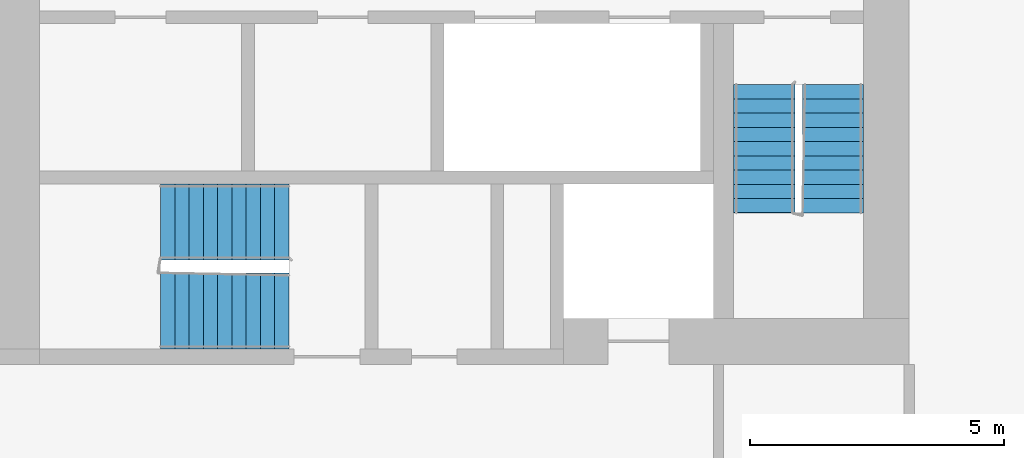
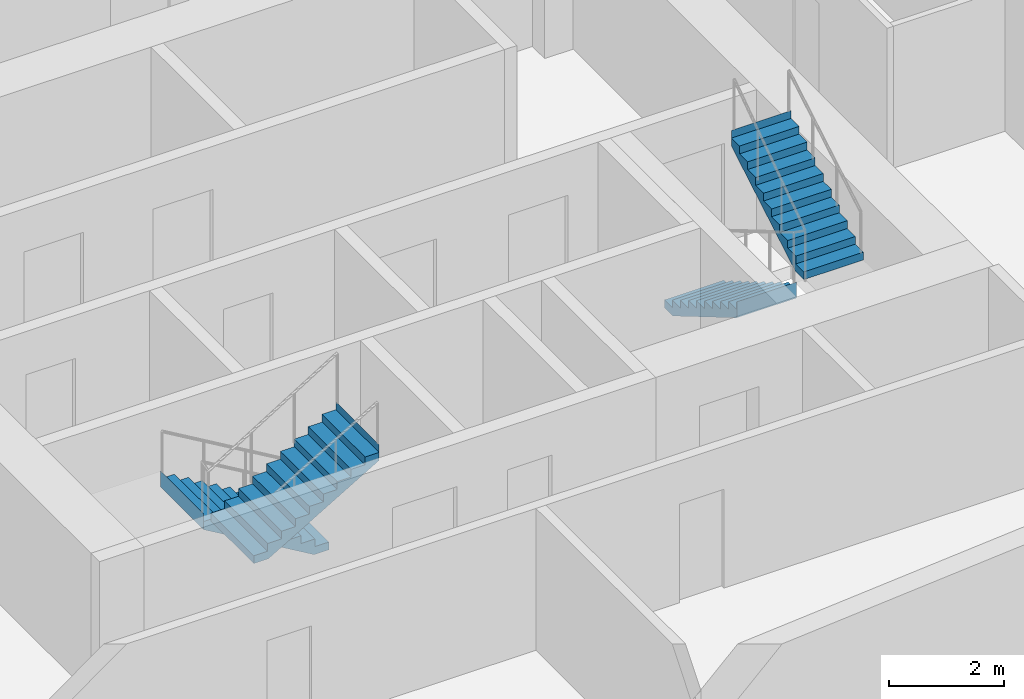
# One storey, part 9 of 12: 4 stair flights, 2 elements without a shape of their own.
"""IFC4 building model written with IfcOpenShell, lengths in metres."""

from ifc_helpers import new_model, si_unit, direction, frame, origin, place, context, subcontext, project, spatial, faceted_brep, material, type_object, element, aggregate, save


model = new_model("IFC4")

# Units and contexts
model_context = context("Model", 3, precision=1e-05, world=origin(), true_north=direction((0.0, 1.0)))
body_context = subcontext(model_context, "Body", "Model", "MODEL_VIEW")
ifc_project = project(units=[si_unit("LENGTHUNIT", "METRE"), si_unit("AREAUNIT", "SQUARE_METRE"), si_unit("VOLUMEUNIT", "CUBIC_METRE"), si_unit("PLANEANGLEUNIT", "RADIAN"), si_unit("MASSUNIT", "GRAM", prefix="KILO")], contexts=[model_context])

# Site, building, storey
site_placement = place(None, origin())
site = spatial("IfcSite", under=ifc_project, at=site_placement, CompositionType="ELEMENT")
building_placement = place(site_placement, origin())
building = spatial("IfcBuilding", under=site, at=building_placement, Name="Kajstack Hotel Tower", CompositionType="ELEMENT")
storey_placement = place(building_placement, frame((0.0, 0.0, 170.199951171875)))
storey = spatial("IfcBuildingStorey", under=building, at=storey_placement, Name="L39", CompositionType="ELEMENT", Elevation=170.199951171875)

# Stair, stair flights
ifc_material = material(Name="Concrete C40/50", Category="concrete")
stair_type_1 = type_object("IfcStairType", Name="Exit stair 1200", PredefinedType="HALF_TURN_STAIR", material=ifc_material)
stair_1_placement = place(storey_placement, origin())
stair_1 = element("IfcStair", 1, at=stair_1_placement, inside=storey, type_object=stair_type_1, Name="L39 stair W2", PredefinedType="HALF_TURN_STAIR")
stair_flight_type_1 = type_object("IfcStairFlightType", Name="Exit stair flight 1200", PredefinedType="STRAIGHT", material=ifc_material)
stair_flight_1_placement = place(storey_placement, frame((-16.35009765625, -10.0, 0.0), z_axis=(0.0, 0.0, 1.0), x_axis=(0.0, -1.0, 0.0)))
stair_flight_1 = element("IfcStairFlight", 2, at=stair_flight_1_placement, type_object=stair_flight_type_1, Name="W2 flight 1", NumberOfRisers=10, NumberOfTreads=9, PredefinedType="STRAIGHT", RiserHeight=0.165, TreadLength=0.28, context=body_context, shape_type="Brep", body=[
    faceted_brep([(0.295654296875, -0.60009765625, 0.0), (2.5205078125, -0.60009765625, 1.31103515625), (2.5205078125, -0.60009765625, 1.64990234375), (2.52001953125, -0.60009765625, 1.64990234375), (2.52001953125, -0.60009765625, 1.485107421875), (2.239990234375, -0.60009765625, 1.485107421875), (2.239990234375, -0.60009765625, 1.320068359375), (1.9599609375, -0.60009765625, 1.320068359375), (1.9599609375, -0.60009765625, 1.155029296875), (1.679931640625, -0.60009765625, 1.155029296875), (1.679931640625, -0.60009765625, 0.989990234375), (1.39990234375, -0.60009765625, 0.989990234375), (1.39990234375, -0.60009765625, 0.824951171875), (1.1201171875, -0.60009765625, 0.824951171875), (1.1201171875, -0.60009765625, 0.659912109375), (0.840087890625, -0.60009765625, 0.659912109375), (0.840087890625, -0.60009765625, 0.4951171875), (0.56005859375, -0.60009765625, 0.4951171875), (0.56005859375, -0.60009765625, 0.330078125), (0.280029296875, -0.60009765625, 0.330078125), (0.280029296875, -0.60009765625, 0.1650390625), (-0.00048828125, -0.60009765625, 0.1650390625), (-0.00048828125, -0.60009765625, 0.0), (-0.00048828125, 0.60009765625, 0.0), (-0.00048828125, 0.60009765625, 0.1650390625), (0.280029296875, 0.60009765625, 0.1650390625), (0.280029296875, 0.60009765625, 0.330078125), (0.56005859375, 0.60009765625, 0.330078125), (0.56005859375, 0.60009765625, 0.4951171875), (0.840087890625, 0.60009765625, 0.4951171875), (0.840087890625, 0.60009765625, 0.659912109375), (1.1201171875, 0.60009765625, 0.659912109375), (1.1201171875, 0.60009765625, 0.824951171875), (1.39990234375, 0.60009765625, 0.824951171875), (1.39990234375, 0.60009765625, 0.989990234375), (1.679931640625, 0.60009765625, 0.989990234375), (1.679931640625, 0.60009765625, 1.155029296875), (1.9599609375, 0.60009765625, 1.155029296875), (1.9599609375, 0.60009765625, 1.320068359375), (2.239990234375, 0.60009765625, 1.320068359375), (2.239990234375, 0.60009765625, 1.485107421875), (2.52001953125, 0.60009765625, 1.485107421875), (2.52001953125, 0.60009765625, 1.64990234375), (2.5205078125, 0.60009765625, 1.64990234375), (2.5205078125, 0.60009765625, 1.31103515625), (0.295654296875, 0.60009765625, 0.0), (-0.00048828125, -0.300048828125, 0.1650390625), (-0.00048828125, 0.0, 0.1650390625), (-0.00048828125, 0.300048828125, 0.1650390625), (-0.00048828125, 0.300048828125, 0.0), (-0.00048828125, 0.0, 0.0), (-0.00048828125, -0.300048828125, 0.0), (0.280029296875, -0.300048828125, 0.1650390625), (0.280029296875, 0.0, 0.1650390625), (0.280029296875, 0.300048828125, 0.1650390625), (0.280029296875, -0.300048828125, 0.330078125), (0.280029296875, 0.0, 0.330078125), (0.280029296875, 0.300048828125, 0.330078125), (0.56005859375, -0.300048828125, 0.330078125), (0.56005859375, 0.0, 0.330078125), (0.56005859375, 0.300048828125, 0.330078125), (0.56005859375, -0.300048828125, 0.4951171875), (0.56005859375, 0.0, 0.4951171875), (0.56005859375, 0.300048828125, 0.4951171875), (0.840087890625, -0.300048828125, 0.4951171875), (0.840087890625, 0.0, 0.4951171875), (0.840087890625, 0.300048828125, 0.4951171875), (0.840087890625, -0.300048828125, 0.659912109375), (0.840087890625, 0.0, 0.659912109375), (0.840087890625, 0.300048828125, 0.659912109375), (1.1201171875, -0.300048828125, 0.659912109375), (1.1201171875, 0.0, 0.659912109375), (1.1201171875, 0.300048828125, 0.659912109375), (1.1201171875, -0.300048828125, 0.824951171875), (1.1201171875, 0.0, 0.824951171875), (1.1201171875, 0.300048828125, 0.824951171875), (1.39990234375, -0.300048828125, 0.824951171875), (1.39990234375, 0.0, 0.824951171875), (1.39990234375, 0.300048828125, 0.824951171875), (1.39990234375, -0.300048828125, 0.989990234375), (1.39990234375, 0.0, 0.989990234375), (1.39990234375, 0.300048828125, 0.989990234375), (1.679931640625, -0.300048828125, 0.989990234375), (1.679931640625, 0.0, 0.989990234375), (1.679931640625, 0.300048828125, 0.989990234375), (1.679931640625, -0.300048828125, 1.155029296875), (1.679931640625, 0.0, 1.155029296875), (1.679931640625, 0.300048828125, 1.155029296875), (1.9599609375, -0.300048828125, 1.155029296875), (1.9599609375, 0.0, 1.155029296875), (1.9599609375, 0.300048828125, 1.155029296875), (1.9599609375, -0.300048828125, 1.320068359375), (1.9599609375, 0.0, 1.320068359375), (1.9599609375, 0.300048828125, 1.320068359375), (2.239990234375, -0.300048828125, 1.320068359375), (2.239990234375, 0.0, 1.320068359375), (2.239990234375, 0.300048828125, 1.320068359375), (2.239990234375, -0.300048828125, 1.485107421875), (2.239990234375, 0.0, 1.485107421875), (2.239990234375, 0.300048828125, 1.485107421875), (2.52001953125, -0.300048828125, 1.485107421875), (2.52001953125, 0.0, 1.485107421875), (2.52001953125, 0.300048828125, 1.485107421875), (2.52001953125, -0.300048828125, 1.64990234375), (2.52001953125, 0.0, 1.64990234375), (2.52001953125, 0.300048828125, 1.64990234375), (2.5205078125, -0.300048828125, 1.64990234375), (2.5205078125, 0.0, 1.64990234375), (2.5205078125, 0.300048828125, 1.64990234375), (2.5205078125, -0.300048828125, 1.31103515625), (2.5205078125, 0.0, 1.31103515625), (2.5205078125, 0.300048828125, 1.31103515625), (0.295654296875, -0.300048828125, 0.0), (0.295654296875, 0.0, 0.0), (0.295654296875, 0.300048828125, 0.0)], [[[0, 1, 2, 3, 4, 5, 6, 7, 8, 9, 10, 11, 12, 13, 14, 15, 16, 17, 18, 19, 20, 21, 22]], [[23, 24, 25, 26, 27, 28, 29, 30, 31, 32, 33, 34, 35, 36, 37, 38, 39, 40, 41, 42, 43, 44, 45]], [[21, 46, 47, 48, 24, 23, 49, 50, 51, 22]], [[20, 52, 53, 54, 25, 24, 48, 47, 46, 21]], [[19, 55, 56, 57, 26, 25, 54, 53, 52, 20]], [[18, 58, 59, 60, 27, 26, 57, 56, 55, 19]], [[17, 61, 62, 63, 28, 27, 60, 59, 58, 18]], [[16, 64, 65, 66, 29, 28, 63, 62, 61, 17]], [[15, 67, 68, 69, 30, 29, 66, 65, 64, 16]], [[14, 70, 71, 72, 31, 30, 69, 68, 67, 15]], [[13, 73, 74, 75, 32, 31, 72, 71, 70, 14]], [[12, 76, 77, 78, 33, 32, 75, 74, 73, 13]], [[11, 79, 80, 81, 34, 33, 78, 77, 76, 12]], [[10, 82, 83, 84, 35, 34, 81, 80, 79, 11]], [[9, 85, 86, 87, 36, 35, 84, 83, 82, 10]], [[8, 88, 89, 90, 37, 36, 87, 86, 85, 9]], [[7, 91, 92, 93, 38, 37, 90, 89, 88, 8]], [[6, 94, 95, 96, 39, 38, 93, 92, 91, 7]], [[5, 97, 98, 99, 40, 39, 96, 95, 94, 6]], [[4, 100, 101, 102, 41, 40, 99, 98, 97, 5]], [[3, 103, 104, 105, 42, 41, 102, 101, 100, 4]], [[2, 106, 107, 108, 43, 42, 105, 104, 103, 3]], [[1, 109, 110, 111, 44, 43, 108, 107, 106, 2]], [[0, 112, 113, 114, 45, 44, 111, 110, 109, 1]], [[22, 51, 50, 49, 23, 45, 114, 113, 112, 0]]]),
])
stair_flight_2_placement = place(storey_placement, frame((-15.0, -12.52001953125, 1.650146484375), z_axis=(0.0, 0.0, 1.0), x_axis=(0.0, 1.0, 0.0)))
stair_flight_2 = element("IfcStairFlight", 3, at=stair_flight_2_placement, type_object=stair_flight_type_1, Name="W2 flight 2", NumberOfRisers=10, NumberOfTreads=9, PredefinedType="STRAIGHT", RiserHeight=0.165, TreadLength=0.28, context=body_context, shape_type="Brep", body=[
    faceted_brep([(0.295654296875, -0.60009765625, 0.0), (2.5205078125, -0.60009765625, 1.31103515625), (2.5205078125, -0.60009765625, 1.64990234375), (2.52001953125, -0.60009765625, 1.64990234375), (2.52001953125, -0.60009765625, 1.485107421875), (2.239990234375, -0.60009765625, 1.485107421875), (2.239990234375, -0.60009765625, 1.320068359375), (1.9599609375, -0.60009765625, 1.320068359375), (1.9599609375, -0.60009765625, 1.155029296875), (1.679931640625, -0.60009765625, 1.155029296875), (1.679931640625, -0.60009765625, 0.989990234375), (1.39990234375, -0.60009765625, 0.989990234375), (1.39990234375, -0.60009765625, 0.824951171875), (1.1201171875, -0.60009765625, 0.824951171875), (1.1201171875, -0.60009765625, 0.659912109375), (0.840087890625, -0.60009765625, 0.659912109375), (0.840087890625, -0.60009765625, 0.4951171875), (0.56005859375, -0.60009765625, 0.4951171875), (0.56005859375, -0.60009765625, 0.330078125), (0.280029296875, -0.60009765625, 0.330078125), (0.280029296875, -0.60009765625, 0.1650390625), (-0.00048828125, -0.60009765625, 0.1650390625), (-0.00048828125, -0.60009765625, 0.0), (-0.00048828125, 0.60009765625, 0.0), (-0.00048828125, 0.60009765625, 0.1650390625), (0.280029296875, 0.60009765625, 0.1650390625), (0.280029296875, 0.60009765625, 0.330078125), (0.56005859375, 0.60009765625, 0.330078125), (0.56005859375, 0.60009765625, 0.4951171875), (0.840087890625, 0.60009765625, 0.4951171875), (0.840087890625, 0.60009765625, 0.659912109375), (1.1201171875, 0.60009765625, 0.659912109375), (1.1201171875, 0.60009765625, 0.824951171875), (1.39990234375, 0.60009765625, 0.824951171875), (1.39990234375, 0.60009765625, 0.989990234375), (1.679931640625, 0.60009765625, 0.989990234375), (1.679931640625, 0.60009765625, 1.155029296875), (1.9599609375, 0.60009765625, 1.155029296875), (1.9599609375, 0.60009765625, 1.320068359375), (2.239990234375, 0.60009765625, 1.320068359375), (2.239990234375, 0.60009765625, 1.485107421875), (2.52001953125, 0.60009765625, 1.485107421875), (2.52001953125, 0.60009765625, 1.64990234375), (2.5205078125, 0.60009765625, 1.64990234375), (2.5205078125, 0.60009765625, 1.31103515625), (0.295654296875, 0.60009765625, 0.0), (-0.00048828125, -0.300048828125, 0.1650390625), (-0.00048828125, 0.0, 0.1650390625), (-0.00048828125, 0.300048828125, 0.1650390625), (-0.00048828125, 0.300048828125, 0.0), (-0.00048828125, 0.0, 0.0), (-0.00048828125, -0.300048828125, 0.0), (0.280029296875, -0.300048828125, 0.1650390625), (0.280029296875, 0.0, 0.1650390625), (0.280029296875, 0.300048828125, 0.1650390625), (0.280029296875, -0.300048828125, 0.330078125), (0.280029296875, 0.0, 0.330078125), (0.280029296875, 0.300048828125, 0.330078125), (0.56005859375, -0.300048828125, 0.330078125), (0.56005859375, 0.0, 0.330078125), (0.56005859375, 0.300048828125, 0.330078125), (0.56005859375, -0.300048828125, 0.4951171875), (0.56005859375, 0.0, 0.4951171875), (0.56005859375, 0.300048828125, 0.4951171875), (0.840087890625, -0.300048828125, 0.4951171875), (0.840087890625, 0.0, 0.4951171875), (0.840087890625, 0.300048828125, 0.4951171875), (0.840087890625, -0.300048828125, 0.659912109375), (0.840087890625, 0.0, 0.659912109375), (0.840087890625, 0.300048828125, 0.659912109375), (1.1201171875, -0.300048828125, 0.659912109375), (1.1201171875, 0.0, 0.659912109375), (1.1201171875, 0.300048828125, 0.659912109375), (1.1201171875, -0.300048828125, 0.824951171875), (1.1201171875, 0.0, 0.824951171875), (1.1201171875, 0.300048828125, 0.824951171875), (1.39990234375, -0.300048828125, 0.824951171875), (1.39990234375, 0.0, 0.824951171875), (1.39990234375, 0.300048828125, 0.824951171875), (1.39990234375, -0.300048828125, 0.989990234375), (1.39990234375, 0.0, 0.989990234375), (1.39990234375, 0.300048828125, 0.989990234375), (1.679931640625, -0.300048828125, 0.989990234375), (1.679931640625, 0.0, 0.989990234375), (1.679931640625, 0.300048828125, 0.989990234375), (1.679931640625, -0.300048828125, 1.155029296875), (1.679931640625, 0.0, 1.155029296875), (1.679931640625, 0.300048828125, 1.155029296875), (1.9599609375, -0.300048828125, 1.155029296875), (1.9599609375, 0.0, 1.155029296875), (1.9599609375, 0.300048828125, 1.155029296875), (1.9599609375, -0.300048828125, 1.320068359375), (1.9599609375, 0.0, 1.320068359375), (1.9599609375, 0.300048828125, 1.320068359375), (2.239990234375, -0.300048828125, 1.320068359375), (2.239990234375, 0.0, 1.320068359375), (2.239990234375, 0.300048828125, 1.320068359375), (2.239990234375, -0.300048828125, 1.485107421875), (2.239990234375, 0.0, 1.485107421875), (2.239990234375, 0.300048828125, 1.485107421875), (2.52001953125, -0.300048828125, 1.485107421875), (2.52001953125, 0.0, 1.485107421875), (2.52001953125, 0.300048828125, 1.485107421875), (2.52001953125, -0.300048828125, 1.64990234375), (2.52001953125, 0.0, 1.64990234375), (2.52001953125, 0.300048828125, 1.64990234375), (2.5205078125, -0.300048828125, 1.64990234375), (2.5205078125, 0.0, 1.64990234375), (2.5205078125, 0.300048828125, 1.64990234375), (2.5205078125, -0.300048828125, 1.31103515625), (2.5205078125, 0.0, 1.31103515625), (2.5205078125, 0.300048828125, 1.31103515625), (0.295654296875, -0.300048828125, 0.0), (0.295654296875, 0.0, 0.0), (0.295654296875, 0.300048828125, 0.0)], [[[0, 1, 2, 3, 4, 5, 6, 7, 8, 9, 10, 11, 12, 13, 14, 15, 16, 17, 18, 19, 20, 21, 22]], [[23, 24, 25, 26, 27, 28, 29, 30, 31, 32, 33, 34, 35, 36, 37, 38, 39, 40, 41, 42, 43, 44, 45]], [[21, 46, 47, 48, 24, 23, 49, 50, 51, 22]], [[20, 52, 53, 54, 25, 24, 48, 47, 46, 21]], [[19, 55, 56, 57, 26, 25, 54, 53, 52, 20]], [[18, 58, 59, 60, 27, 26, 57, 56, 55, 19]], [[17, 61, 62, 63, 28, 27, 60, 59, 58, 18]], [[16, 64, 65, 66, 29, 28, 63, 62, 61, 17]], [[15, 67, 68, 69, 30, 29, 66, 65, 64, 16]], [[14, 70, 71, 72, 31, 30, 69, 68, 67, 15]], [[13, 73, 74, 75, 32, 31, 72, 71, 70, 14]], [[12, 76, 77, 78, 33, 32, 75, 74, 73, 13]], [[11, 79, 80, 81, 34, 33, 78, 77, 76, 12]], [[10, 82, 83, 84, 35, 34, 81, 80, 79, 11]], [[9, 85, 86, 87, 36, 35, 84, 83, 82, 10]], [[8, 88, 89, 90, 37, 36, 87, 86, 85, 9]], [[7, 91, 92, 93, 38, 37, 90, 89, 88, 8]], [[6, 94, 95, 96, 39, 38, 93, 92, 91, 7]], [[5, 97, 98, 99, 40, 39, 96, 95, 94, 6]], [[4, 100, 101, 102, 41, 40, 99, 98, 97, 5]], [[3, 103, 104, 105, 42, 41, 102, 101, 100, 4]], [[2, 106, 107, 108, 43, 42, 105, 104, 103, 3]], [[1, 109, 110, 111, 44, 43, 108, 107, 106, 2]], [[0, 112, 113, 114, 45, 44, 111, 110, 109, 1]], [[22, 51, 50, 49, 23, 45, 114, 113, 112, 0]]]),
])
aggregate(stair_1, [stair_flight_1, stair_flight_2])

stair_type_2 = type_object("IfcStairType", Name="Exit stair 1500", PredefinedType="HALF_TURN_STAIR", material=ifc_material)
stair_2_placement = place(storey_placement, origin())
stair_2 = element("IfcStair", 4, at=stair_2_placement, inside=storey, type_object=stair_type_2, Name="L39 stair W3", PredefinedType="HALF_TURN_STAIR")
stair_flight_type_2 = type_object("IfcStairFlightType", Name="Exit stair flight 1500", PredefinedType="STRAIGHT", material=ifc_material)
stair_flight_3_placement = place(storey_placement, frame((-25.699951171875, -12.699951171875, 0.0), z_axis=(0.0, 0.0, 1.0), x_axis=(-1.0, 0.0, 0.0)))
stair_flight_3 = element("IfcStairFlight", 5, at=stair_flight_3_placement, type_object=stair_flight_type_2, Name="W3 flight 1", NumberOfRisers=10, NumberOfTreads=9, PredefinedType="STRAIGHT", RiserHeight=0.165, TreadLength=0.28, context=body_context, shape_type="Brep", body=[
    faceted_brep([(0.295654296875, -0.75, 0.0), (2.5205078125, -0.75, 1.31103515625), (2.5205078125, -0.75, 1.64990234375), (2.52001953125, -0.75, 1.64990234375), (2.52001953125, -0.75, 1.485107421875), (2.239990234375, -0.75, 1.485107421875), (2.239990234375, -0.75, 1.320068359375), (1.9599609375, -0.75, 1.320068359375), (1.9599609375, -0.75, 1.155029296875), (1.679931640625, -0.75, 1.155029296875), (1.679931640625, -0.75, 0.989990234375), (1.39990234375, -0.75, 0.989990234375), (1.39990234375, -0.75, 0.824951171875), (1.1201171875, -0.75, 0.824951171875), (1.1201171875, -0.75, 0.659912109375), (0.840087890625, -0.75, 0.659912109375), (0.840087890625, -0.75, 0.4951171875), (0.56005859375, -0.75, 0.4951171875), (0.56005859375, -0.75, 0.330078125), (0.280029296875, -0.75, 0.330078125), (0.280029296875, -0.75, 0.1650390625), (-0.00048828125, -0.75, 0.1650390625), (-0.00048828125, -0.75, 0.0), (-0.00048828125, 0.75, 0.0), (-0.00048828125, 0.75, 0.1650390625), (0.280029296875, 0.75, 0.1650390625), (0.280029296875, 0.75, 0.330078125), (0.56005859375, 0.75, 0.330078125), (0.56005859375, 0.75, 0.4951171875), (0.840087890625, 0.75, 0.4951171875), (0.840087890625, 0.75, 0.659912109375), (1.1201171875, 0.75, 0.659912109375), (1.1201171875, 0.75, 0.824951171875), (1.39990234375, 0.75, 0.824951171875), (1.39990234375, 0.75, 0.989990234375), (1.679931640625, 0.75, 0.989990234375), (1.679931640625, 0.75, 1.155029296875), (1.9599609375, 0.75, 1.155029296875), (1.9599609375, 0.75, 1.320068359375), (2.239990234375, 0.75, 1.320068359375), (2.239990234375, 0.75, 1.485107421875), (2.52001953125, 0.75, 1.485107421875), (2.52001953125, 0.75, 1.64990234375), (2.5205078125, 0.75, 1.64990234375), (2.5205078125, 0.75, 1.31103515625), (0.295654296875, 0.75, 0.0), (-0.00048828125, -0.375, 0.1650390625), (-0.00048828125, 0.0, 0.1650390625), (-0.00048828125, 0.375, 0.1650390625), (-0.00048828125, 0.375, 0.0), (-0.00048828125, 0.0, 0.0), (-0.00048828125, -0.375, 0.0), (0.280029296875, -0.375, 0.1650390625), (0.280029296875, 0.0, 0.1650390625), (0.280029296875, 0.375, 0.1650390625), (0.280029296875, -0.375, 0.330078125), (0.280029296875, 0.0, 0.330078125), (0.280029296875, 0.375, 0.330078125), (0.56005859375, -0.375, 0.330078125), (0.56005859375, 0.0, 0.330078125), (0.56005859375, 0.375, 0.330078125), (0.56005859375, -0.375, 0.4951171875), (0.56005859375, 0.0, 0.4951171875), (0.56005859375, 0.375, 0.4951171875), (0.840087890625, -0.375, 0.4951171875), (0.840087890625, 0.0, 0.4951171875), (0.840087890625, 0.375, 0.4951171875), (0.840087890625, -0.375, 0.659912109375), (0.840087890625, 0.0, 0.659912109375), (0.840087890625, 0.375, 0.659912109375), (1.1201171875, -0.375, 0.659912109375), (1.1201171875, 0.0, 0.659912109375), (1.1201171875, 0.375, 0.659912109375), (1.1201171875, -0.375, 0.824951171875), (1.1201171875, 0.0, 0.824951171875), (1.1201171875, 0.375, 0.824951171875), (1.39990234375, -0.375, 0.824951171875), (1.39990234375, 0.0, 0.824951171875), (1.39990234375, 0.375, 0.824951171875), (1.39990234375, -0.375, 0.989990234375), (1.39990234375, 0.0, 0.989990234375), (1.39990234375, 0.375, 0.989990234375), (1.679931640625, -0.375, 0.989990234375), (1.679931640625, 0.0, 0.989990234375), (1.679931640625, 0.375, 0.989990234375), (1.679931640625, -0.375, 1.155029296875), (1.679931640625, 0.0, 1.155029296875), (1.679931640625, 0.375, 1.155029296875), (1.9599609375, -0.375, 1.155029296875), (1.9599609375, 0.0, 1.155029296875), (1.9599609375, 0.375, 1.155029296875), (1.9599609375, -0.375, 1.320068359375), (1.9599609375, 0.0, 1.320068359375), (1.9599609375, 0.375, 1.320068359375), (2.239990234375, -0.375, 1.320068359375), (2.239990234375, 0.0, 1.320068359375), (2.239990234375, 0.375, 1.320068359375), (2.239990234375, -0.375, 1.485107421875), (2.239990234375, 0.0, 1.485107421875), (2.239990234375, 0.375, 1.485107421875), (2.52001953125, -0.375, 1.485107421875), (2.52001953125, 0.0, 1.485107421875), (2.52001953125, 0.375, 1.485107421875), (2.52001953125, -0.375, 1.64990234375), (2.52001953125, 0.0, 1.64990234375), (2.52001953125, 0.375, 1.64990234375), (2.5205078125, -0.375, 1.64990234375), (2.5205078125, 0.0, 1.64990234375), (2.5205078125, 0.375, 1.64990234375), (2.5205078125, -0.375, 1.31103515625), (2.5205078125, 0.0, 1.31103515625), (2.5205078125, 0.375, 1.31103515625), (0.295654296875, -0.375, 0.0), (0.295654296875, 0.0, 0.0), (0.295654296875, 0.375, 0.0)], [[[0, 1, 2, 3, 4, 5, 6, 7, 8, 9, 10, 11, 12, 13, 14, 15, 16, 17, 18, 19, 20, 21, 22]], [[23, 24, 25, 26, 27, 28, 29, 30, 31, 32, 33, 34, 35, 36, 37, 38, 39, 40, 41, 42, 43, 44, 45]], [[21, 46, 47, 48, 24, 23, 49, 50, 51, 22]], [[20, 52, 53, 54, 25, 24, 48, 47, 46, 21]], [[19, 55, 56, 57, 26, 25, 54, 53, 52, 20]], [[18, 58, 59, 60, 27, 26, 57, 56, 55, 19]], [[17, 61, 62, 63, 28, 27, 60, 59, 58, 18]], [[16, 64, 65, 66, 29, 28, 63, 62, 61, 17]], [[15, 67, 68, 69, 30, 29, 66, 65, 64, 16]], [[14, 70, 71, 72, 31, 30, 69, 68, 67, 15]], [[13, 73, 74, 75, 32, 31, 72, 71, 70, 14]], [[12, 76, 77, 78, 33, 32, 75, 74, 73, 13]], [[11, 79, 80, 81, 34, 33, 78, 77, 76, 12]], [[10, 82, 83, 84, 35, 34, 81, 80, 79, 11]], [[9, 85, 86, 87, 36, 35, 84, 83, 82, 10]], [[8, 88, 89, 90, 37, 36, 87, 86, 85, 9]], [[7, 91, 92, 93, 38, 37, 90, 89, 88, 8]], [[6, 94, 95, 96, 39, 38, 93, 92, 91, 7]], [[5, 97, 98, 99, 40, 39, 96, 95, 94, 6]], [[4, 100, 101, 102, 41, 40, 99, 98, 97, 5]], [[3, 103, 104, 105, 42, 41, 102, 101, 100, 4]], [[2, 106, 107, 108, 43, 42, 105, 104, 103, 3]], [[1, 109, 110, 111, 44, 43, 108, 107, 106, 2]], [[0, 112, 113, 114, 45, 44, 111, 110, 109, 1]], [[22, 51, 50, 49, 23, 45, 114, 113, 112, 0]]]),
])
stair_flight_4_placement = place(storey_placement, frame((-28.219970703125, -14.449951171875, 1.650146484375), z_axis=(0.0, 0.0, 1.0), x_axis=(1.0, 0.0, 0.0)))
stair_flight_4 = element("IfcStairFlight", 6, at=stair_flight_4_placement, type_object=stair_flight_type_2, Name="W3 flight 2", NumberOfRisers=10, NumberOfTreads=9, PredefinedType="STRAIGHT", RiserHeight=0.165, TreadLength=0.28, context=body_context, shape_type="Brep", body=[
    faceted_brep([(0.295654296875, -0.75, 0.0), (2.5205078125, -0.75, 1.31103515625), (2.5205078125, -0.75, 1.64990234375), (2.52001953125, -0.75, 1.64990234375), (2.52001953125, -0.75, 1.485107421875), (2.239990234375, -0.75, 1.485107421875), (2.239990234375, -0.75, 1.320068359375), (1.9599609375, -0.75, 1.320068359375), (1.9599609375, -0.75, 1.155029296875), (1.679931640625, -0.75, 1.155029296875), (1.679931640625, -0.75, 0.989990234375), (1.39990234375, -0.75, 0.989990234375), (1.39990234375, -0.75, 0.824951171875), (1.1201171875, -0.75, 0.824951171875), (1.1201171875, -0.75, 0.659912109375), (0.840087890625, -0.75, 0.659912109375), (0.840087890625, -0.75, 0.4951171875), (0.56005859375, -0.75, 0.4951171875), (0.56005859375, -0.75, 0.330078125), (0.280029296875, -0.75, 0.330078125), (0.280029296875, -0.75, 0.1650390625), (-0.00048828125, -0.75, 0.1650390625), (-0.00048828125, -0.75, 0.0), (-0.00048828125, 0.75, 0.0), (-0.00048828125, 0.75, 0.1650390625), (0.280029296875, 0.75, 0.1650390625), (0.280029296875, 0.75, 0.330078125), (0.56005859375, 0.75, 0.330078125), (0.56005859375, 0.75, 0.4951171875), (0.840087890625, 0.75, 0.4951171875), (0.840087890625, 0.75, 0.659912109375), (1.1201171875, 0.75, 0.659912109375), (1.1201171875, 0.75, 0.824951171875), (1.39990234375, 0.75, 0.824951171875), (1.39990234375, 0.75, 0.989990234375), (1.679931640625, 0.75, 0.989990234375), (1.679931640625, 0.75, 1.155029296875), (1.9599609375, 0.75, 1.155029296875), (1.9599609375, 0.75, 1.320068359375), (2.239990234375, 0.75, 1.320068359375), (2.239990234375, 0.75, 1.485107421875), (2.52001953125, 0.75, 1.485107421875), (2.52001953125, 0.75, 1.64990234375), (2.5205078125, 0.75, 1.64990234375), (2.5205078125, 0.75, 1.31103515625), (0.295654296875, 0.75, 0.0), (-0.00048828125, -0.375, 0.1650390625), (-0.00048828125, 0.0, 0.1650390625), (-0.00048828125, 0.375, 0.1650390625), (-0.00048828125, 0.375, 0.0), (-0.00048828125, 0.0, 0.0), (-0.00048828125, -0.375, 0.0), (0.280029296875, -0.375, 0.1650390625), (0.280029296875, 0.0, 0.1650390625), (0.280029296875, 0.375, 0.1650390625), (0.280029296875, -0.375, 0.330078125), (0.280029296875, 0.0, 0.330078125), (0.280029296875, 0.375, 0.330078125), (0.56005859375, -0.375, 0.330078125), (0.56005859375, 0.0, 0.330078125), (0.56005859375, 0.375, 0.330078125), (0.56005859375, -0.375, 0.4951171875), (0.56005859375, 0.0, 0.4951171875), (0.56005859375, 0.375, 0.4951171875), (0.840087890625, -0.375, 0.4951171875), (0.840087890625, 0.0, 0.4951171875), (0.840087890625, 0.375, 0.4951171875), (0.840087890625, -0.375, 0.659912109375), (0.840087890625, 0.0, 0.659912109375), (0.840087890625, 0.375, 0.659912109375), (1.1201171875, -0.375, 0.659912109375), (1.1201171875, 0.0, 0.659912109375), (1.1201171875, 0.375, 0.659912109375), (1.1201171875, -0.375, 0.824951171875), (1.1201171875, 0.0, 0.824951171875), (1.1201171875, 0.375, 0.824951171875), (1.39990234375, -0.375, 0.824951171875), (1.39990234375, 0.0, 0.824951171875), (1.39990234375, 0.375, 0.824951171875), (1.39990234375, -0.375, 0.989990234375), (1.39990234375, 0.0, 0.989990234375), (1.39990234375, 0.375, 0.989990234375), (1.679931640625, -0.375, 0.989990234375), (1.679931640625, 0.0, 0.989990234375), (1.679931640625, 0.375, 0.989990234375), (1.679931640625, -0.375, 1.155029296875), (1.679931640625, 0.0, 1.155029296875), (1.679931640625, 0.375, 1.155029296875), (1.9599609375, -0.375, 1.155029296875), (1.9599609375, 0.0, 1.155029296875), (1.9599609375, 0.375, 1.155029296875), (1.9599609375, -0.375, 1.320068359375), (1.9599609375, 0.0, 1.320068359375), (1.9599609375, 0.375, 1.320068359375), (2.239990234375, -0.375, 1.320068359375), (2.239990234375, 0.0, 1.320068359375), (2.239990234375, 0.375, 1.320068359375), (2.239990234375, -0.375, 1.485107421875), (2.239990234375, 0.0, 1.485107421875), (2.239990234375, 0.375, 1.485107421875), (2.52001953125, -0.375, 1.485107421875), (2.52001953125, 0.0, 1.485107421875), (2.52001953125, 0.375, 1.485107421875), (2.52001953125, -0.375, 1.64990234375), (2.52001953125, 0.0, 1.64990234375), (2.52001953125, 0.375, 1.64990234375), (2.5205078125, -0.375, 1.64990234375), (2.5205078125, 0.0, 1.64990234375), (2.5205078125, 0.375, 1.64990234375), (2.5205078125, -0.375, 1.31103515625), (2.5205078125, 0.0, 1.31103515625), (2.5205078125, 0.375, 1.31103515625), (0.295654296875, -0.375, 0.0), (0.295654296875, 0.0, 0.0), (0.295654296875, 0.375, 0.0)], [[[0, 1, 2, 3, 4, 5, 6, 7, 8, 9, 10, 11, 12, 13, 14, 15, 16, 17, 18, 19, 20, 21, 22]], [[23, 24, 25, 26, 27, 28, 29, 30, 31, 32, 33, 34, 35, 36, 37, 38, 39, 40, 41, 42, 43, 44, 45]], [[21, 46, 47, 48, 24, 23, 49, 50, 51, 22]], [[20, 52, 53, 54, 25, 24, 48, 47, 46, 21]], [[19, 55, 56, 57, 26, 25, 54, 53, 52, 20]], [[18, 58, 59, 60, 27, 26, 57, 56, 55, 19]], [[17, 61, 62, 63, 28, 27, 60, 59, 58, 18]], [[16, 64, 65, 66, 29, 28, 63, 62, 61, 17]], [[15, 67, 68, 69, 30, 29, 66, 65, 64, 16]], [[14, 70, 71, 72, 31, 30, 69, 68, 67, 15]], [[13, 73, 74, 75, 32, 31, 72, 71, 70, 14]], [[12, 76, 77, 78, 33, 32, 75, 74, 73, 13]], [[11, 79, 80, 81, 34, 33, 78, 77, 76, 12]], [[10, 82, 83, 84, 35, 34, 81, 80, 79, 11]], [[9, 85, 86, 87, 36, 35, 84, 83, 82, 10]], [[8, 88, 89, 90, 37, 36, 87, 86, 85, 9]], [[7, 91, 92, 93, 38, 37, 90, 89, 88, 8]], [[6, 94, 95, 96, 39, 38, 93, 92, 91, 7]], [[5, 97, 98, 99, 40, 39, 96, 95, 94, 6]], [[4, 100, 101, 102, 41, 40, 99, 98, 97, 5]], [[3, 103, 104, 105, 42, 41, 102, 101, 100, 4]], [[2, 106, 107, 108, 43, 42, 105, 104, 103, 3]], [[1, 109, 110, 111, 44, 43, 108, 107, 106, 2]], [[0, 112, 113, 114, 45, 44, 111, 110, 109, 1]], [[22, 51, 50, 49, 23, 45, 114, 113, 112, 0]]]),
])
aggregate(stair_2, [stair_flight_3, stair_flight_4])

save(model, "model.ifc")
